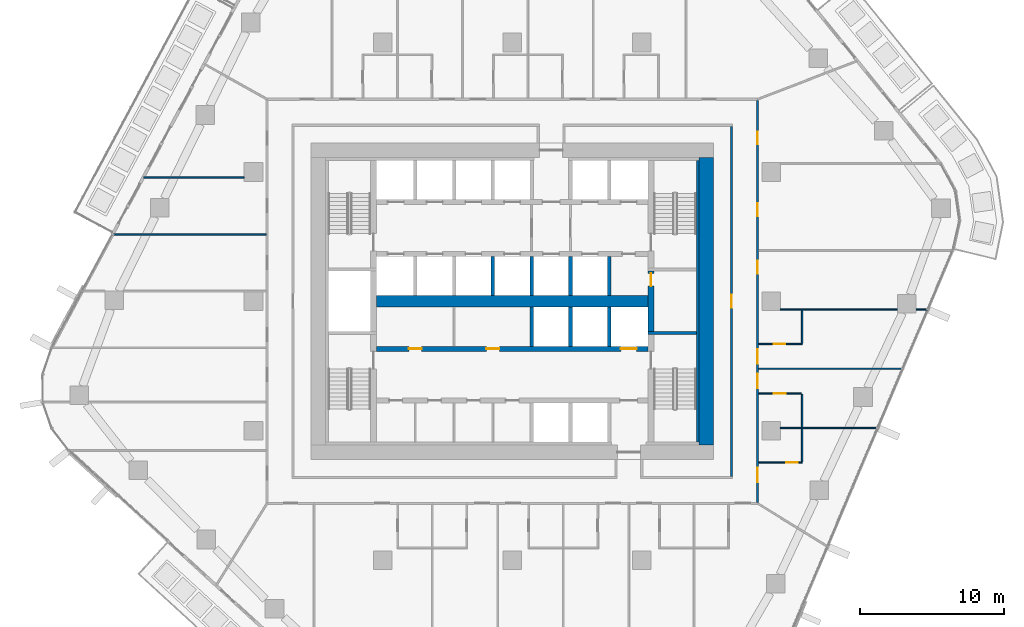
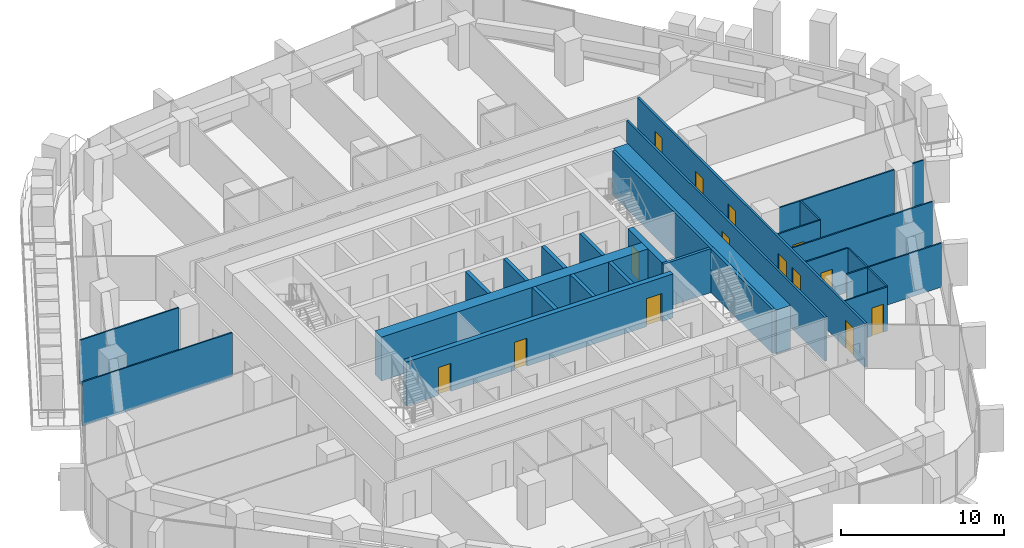
# One storey, part 14 of 24: 27 walls, 14 doors, 14 openings.
"""IFC4 building model written with IfcOpenShell, lengths in metres."""

from ifc_helpers import new_model, si_unit, direction, frame, frame_2d, origin, place, context, subcontext, project, spatial, rectangle, extrude, material, layer, layer_set, type_object, element, fill, save


model = new_model("IFC4")

# Units and contexts
model_context = context("Model", 3, precision=1e-05, world=origin(), true_north=direction((0.0, 1.0)))
body_context = subcontext(model_context, "Body", "Model", "MODEL_VIEW")
ifc_project = project(units=[si_unit("LENGTHUNIT", "METRE"), si_unit("AREAUNIT", "SQUARE_METRE"), si_unit("VOLUMEUNIT", "CUBIC_METRE"), si_unit("PLANEANGLEUNIT", "RADIAN"), si_unit("MASSUNIT", "GRAM", prefix="KILO")], contexts=[model_context])

# Site, building, storey
site_placement = place(None, origin())
site = spatial("IfcSite", under=ifc_project, at=site_placement, CompositionType="ELEMENT")
building_placement = place(site_placement, origin())
building = spatial("IfcBuilding", under=site, at=building_placement, Name="Dongbaek Canopy Tower", CompositionType="ELEMENT")
storey_placement = place(building_placement, frame((0.0, 0.0, 124.800048828125)))
storey = spatial("IfcBuildingStorey", under=building, at=storey_placement, Name="L27", CompositionType="ELEMENT", Elevation=124.800048828125)

# Wall
ifc_material_1 = material(Name="Concrete C60/75", Category="concrete")
ifc_layer_1 = layer(ifc_material_1, 0.800048828125)
ifc_layer_set_1 = layer_set([ifc_layer_1], Name="Core central wall 800 Concrete C60/75")
wall_type_1 = type_object("IfcWallType", Name="Core central wall 800 Concrete C60/75", PredefinedType="SHEAR", material=ifc_layer_set_1)
wall_1_placement = place(storey_placement, frame((-9.449951171875, 0.0, 0.0), z_axis=(0.0, 0.0, 1.0), x_axis=(1.0, 0.0, 0.0)))
element("IfcWall", 1, at=wall_1_placement, inside=storey, type_object=wall_type_1, Name="Core wall", PredefinedType="SHEAR", context=body_context, shape_type="SweptSolid", body=[
    extrude(rectangle(XDim=18.89990234375, YDim=0.800048828125, at=frame_2d((9.449951171875, 0.0))), origin(), (0.0, 0.0, 1.0), 3.300048828125),
])

# Wall, openings, doors
ifc_material_2 = material(Name="Concrete C60/75", Category="concrete")
ifc_layer_2 = layer(ifc_material_2, 0.35009765625)
ifc_layer_set_2 = layer_set([ifc_layer_2], Name="Core lobby wall 350 Concrete C60/75")
wall_type_2 = type_object("IfcWallType", Name="Core lobby wall 350 Concrete C60/75", PredefinedType="SHEAR", material=ifc_layer_set_2)
wall_2_placement = place(storey_placement, frame((-9.449951171875, -3.300048828125, 0.0), z_axis=(0.0, 0.0, 1.0), x_axis=(1.0, 0.0, 0.0)))
wall_2 = element("IfcWall", 2, at=wall_2_placement, inside=storey, type_object=wall_type_2, Name="Core wall", PredefinedType="SHEAR", context=body_context, shape_type="SweptSolid", body=[
    extrude(rectangle(XDim=18.89990234375, YDim=0.35009765625, at=frame_2d((9.449951171875, 0.0))), origin(), (0.0, 0.0, 1.0), 3.300048828125),
])
opening_1_placement = place(wall_2_placement, frame((17.0, 0.0, 0.0)))
opening_1 = element("IfcOpeningElement", 3, at=opening_1_placement, cuts=wall_2, Name="Opening L27-D059", PredefinedType="OPENING", context=body_context, shape_type="SweptSolid", body=[
    extrude(rectangle(XDim=1.10009765625, YDim=2.10009765625, at=frame_2d((0.550048828125, 1.050048828125))), frame((0.0, 0.18505859375, 0.0), z_axis=(0.0, -1.0, 0.0), x_axis=(1.0, 0.0, 0.0)), (0.0, 0.0, 1.0), 0.3701171875),
])
opening_2_placement = place(wall_2_placement, frame((2.25, 0.0, 0.0)))
opening_2 = element("IfcOpeningElement", 4, at=opening_2_placement, cuts=wall_2, Name="Opening L27-D062", PredefinedType="OPENING", context=body_context, shape_type="SweptSolid", body=[
    extrude(rectangle(XDim=0.89990234375, YDim=2.10009765625, at=frame_2d((0.449951171875, 1.050048828125))), frame((0.0, 0.18505859375, 0.0), z_axis=(0.0, -1.0, 0.0), x_axis=(1.0, 0.0, 0.0)), (0.0, 0.0, 1.0), 0.3701171875),
])
opening_3_placement = place(wall_2_placement, frame((7.64990234375, 0.0, 0.0)))
opening_3 = element("IfcOpeningElement", 5, at=opening_3_placement, cuts=wall_2, Name="Opening L27-D063", PredefinedType="OPENING", context=body_context, shape_type="SweptSolid", body=[
    extrude(rectangle(XDim=0.89990234375, YDim=2.10009765625, at=frame_2d((0.449951171875, 1.050048828125))), frame((0.0, 0.18505859375, 0.0), z_axis=(0.0, -1.0, 0.0), x_axis=(1.0, 0.0, 0.0)), (0.0, 0.0, 1.0), 0.3701171875),
])
ifc_material_3 = material(Name="Steel", Category="steel")
door_type_1 = type_object("IfcDoorType", Name="Core room door 900 x 2100", OperationType="SINGLE_SWING_LEFT", PredefinedType="DOOR", material=ifc_material_3)
door_1_placement = place(opening_2_placement, origin())
door_1 = element("IfcDoor", 6, at=door_1_placement, inside=storey, type_object=door_type_1, Name="Door L27-D062", OperationType="SINGLE_SWING_RIGHT", OverallHeight=2.10009765625, OverallWidth=0.89990234375, PredefinedType="DOOR", context=body_context, shape_type="SweptSolid", body=[
    extrude(rectangle(XDim=0.89990234375, YDim=2.10009765625, at=frame_2d((0.449951171875, 1.050048828125))), frame((0.0, 0.02490234375, 0.0), z_axis=(0.0, -1.0, 0.0), x_axis=(1.0, 0.0, 0.0)), (0.0, 0.0, 1.0), 0.050048828125),
])
fill(opening_2, door_1)
door_2_placement = place(opening_3_placement, origin())
door_2 = element("IfcDoor", 7, at=door_2_placement, inside=storey, type_object=door_type_1, Name="Door L27-D063", OperationType="SINGLE_SWING_LEFT", OverallHeight=2.10009765625, OverallWidth=0.89990234375, PredefinedType="DOOR", context=body_context, shape_type="SweptSolid", body=[
    extrude(rectangle(XDim=0.89990234375, YDim=2.10009765625, at=frame_2d((0.449951171875, 1.050048828125))), frame((0.0, 0.02490234375, 0.0), z_axis=(0.0, -1.0, 0.0), x_axis=(1.0, 0.0, 0.0)), (0.0, 0.0, 1.0), 0.050048828125),
])
fill(opening_3, door_2)
ifc_material_4 = material(Name="Stainless steel", Category="steel")
door_type_2 = type_object("IfcDoorType", Name="Lift landing door 1100 x 2100", OperationType="DOUBLE_DOOR_SLIDING", PredefinedType="DOOR", material=ifc_material_4)
door_3_placement = place(opening_1_placement, origin())
door_3 = element("IfcDoor", 8, at=door_3_placement, inside=storey, type_object=door_type_2, Name="Landing door SV2", OperationType="DOUBLE_DOOR_SLIDING", OverallHeight=2.10009765625, OverallWidth=1.10009765625, PredefinedType="DOOR", context=body_context, shape_type="SweptSolid", body=[
    extrude(rectangle(XDim=1.10009765625, YDim=2.10009765625, at=frame_2d((0.550048828125, 1.050048828125))), frame((0.0, 0.02490234375, 0.0), z_axis=(0.0, -1.0, 0.0), x_axis=(1.0, 0.0, 0.0)), (0.0, 0.0, 1.0), 0.050048828125),
])
fill(opening_1, door_3)

# Walls
ifc_material_5 = material(Name="Concrete C60/75", Category="concrete")
ifc_layer_3 = layer(ifc_material_5, 1.0)
ifc_layer_set_3 = layer_set([ifc_layer_3], Name="Core outer wall 1000 Concrete C60/75")
wall_type_3 = type_object("IfcWallType", Name="Core outer wall 1000 Concrete C60/75", PredefinedType="SHEAR", material=ifc_layer_set_3)
wall_3_placement = place(storey_placement, frame((13.5, 10.0, 0.0), z_axis=(0.0, 0.0, 1.0), x_axis=(0.0, -1.0, 0.0)))
element("IfcWall", 9, at=wall_3_placement, inside=storey, type_object=wall_type_3, Name="Core wall", PredefinedType="SHEAR", context=body_context, shape_type="SweptSolid", body=[
    extrude(rectangle(XDim=20.0, YDim=1.0, at=frame_2d((10.0, 0.0))), origin(), (0.0, 0.0, 1.0), 3.300048828125),
])
ifc_material_6 = material(Name="Concrete C60/75", Category="concrete")
ifc_layer_4 = layer(ifc_material_6, 0.199951171875)
ifc_layer_set_4 = layer_set([ifc_layer_4], Name="Core wall lining 200 Concrete C60/75")
wall_type_4 = type_object("IfcWallType", Name="Core wall lining 200 Concrete C60/75", PredefinedType="SHEAR", material=ifc_layer_set_4)
wall_4_placement = place(storey_placement, frame((12.89990234375, 9.800048828125, 0.0), z_axis=(0.0, 0.0, 1.0), x_axis=(0.0, -1.0, 0.0)))
element("IfcWall", 10, at=wall_4_placement, inside=storey, type_object=wall_type_4, Name="Core wall lining", PredefinedType="SHEAR", context=body_context, shape_type="SweptSolid", body=[
    extrude(rectangle(XDim=19.60009765625, YDim=0.199951171875, at=frame_2d((9.800048828125, 0.0))), origin(), (0.0, 0.0, 1.0), 3.300048828125),
])

# Wall, openings, doors
ifc_material_7 = material(Name="Gypsum board partition, steel stud, 2 x 15 mm fire board", Category="steel")
ifc_layer_5 = layer(ifc_material_7, 0.14990234375)
ifc_layer_set_5 = layer_set([ifc_layer_5], Name="Fire-rated partition 150 gypsum board")
wall_type_5 = type_object("IfcWallType", Name="Fire-rated partition 150 gypsum board", PredefinedType="PARTITIONING", material=ifc_layer_set_5)
wall_5_placement = place(storey_placement, frame((17.050048828125, 13.97509765625, 0.0), z_axis=(0.0, 0.0, 1.0), x_axis=(0.0, -1.0, 0.0)))
wall_5 = element("IfcWall", 11, at=wall_5_placement, inside=storey, type_object=wall_type_5, Name="Corridor partition", PredefinedType="PARTITIONING", context=body_context, shape_type="SweptSolid", body=[
    extrude(rectangle(XDim=27.9501953125, YDim=0.14990234375, at=frame_2d((13.97509765625, 0.0))), origin(), (0.0, 0.0, 1.0), 3.300048828125),
])
opening_4_placement = place(wall_5_placement, frame((25.54541015625, 0.0, 0.0)))
opening_4 = element("IfcOpeningElement", 12, at=opening_4_placement, cuts=wall_5, Name="Opening L27-D018", PredefinedType="OPENING", context=body_context, shape_type="SweptSolid", body=[
    extrude(rectangle(XDim=1.0, YDim=2.10009765625, at=frame_2d((0.5, 1.050048828125))), frame((0.0, 0.0849609375, 0.0), z_axis=(0.0, -1.0, 0.0), x_axis=(1.0, 0.0, 0.0)), (0.0, 0.0, 1.0), 0.169921875),
])
opening_5_placement = place(wall_5_placement, frame((19.0244140625, 0.0, 0.0)))
opening_5 = element("IfcOpeningElement", 13, at=opening_5_placement, cuts=wall_5, Name="Opening L27-D020", PredefinedType="OPENING", context=body_context, shape_type="SweptSolid", body=[
    extrude(rectangle(XDim=1.0, YDim=2.10009765625, at=frame_2d((0.5, 1.050048828125))), frame((0.0, 0.0849609375, 0.0), z_axis=(0.0, -1.0, 0.0), x_axis=(1.0, 0.0, 0.0)), (0.0, 0.0, 1.0), 0.169921875),
])
opening_6_placement = place(wall_5_placement, frame((17.303466796875, 0.0, 0.0)))
opening_6 = element("IfcOpeningElement", 14, at=opening_6_placement, cuts=wall_5, Name="Opening L27-D022", PredefinedType="OPENING", context=body_context, shape_type="SweptSolid", body=[
    extrude(rectangle(XDim=1.0, YDim=2.10009765625, at=frame_2d((0.5, 1.050048828125))), frame((0.0, 0.0849609375, 0.0), z_axis=(0.0, -1.0, 0.0), x_axis=(1.0, 0.0, 0.0)), (0.0, 0.0, 1.0), 0.169921875),
])
opening_7_placement = place(wall_5_placement, frame((11.15478515625, 0.0, 0.0)))
opening_7 = element("IfcOpeningElement", 15, at=opening_7_placement, cuts=wall_5, Name="Opening L27-D023", PredefinedType="OPENING", context=body_context, shape_type="SweptSolid", body=[
    extrude(rectangle(XDim=0.89990234375, YDim=2.10009765625, at=frame_2d((0.449951171875, 1.050048828125))), frame((0.0, 0.0849609375, 0.0), z_axis=(0.0, -1.0, 0.0), x_axis=(1.0, 0.0, 0.0)), (0.0, 0.0, 1.0), 0.169921875),
])
opening_8_placement = place(wall_5_placement, frame((7.14453125, 0.0, 0.0)))
opening_8 = element("IfcOpeningElement", 16, at=opening_8_placement, cuts=wall_5, Name="Opening L27-D024", PredefinedType="OPENING", context=body_context, shape_type="SweptSolid", body=[
    extrude(rectangle(XDim=0.89990234375, YDim=2.10009765625, at=frame_2d((0.449951171875, 1.050048828125))), frame((0.0, 0.0849609375, 0.0), z_axis=(0.0, -1.0, 0.0), x_axis=(1.0, 0.0, 0.0)), (0.0, 0.0, 1.0), 0.169921875),
])
opening_9_placement = place(wall_5_placement, frame((2.16796875, 0.0, 0.0)))
opening_9 = element("IfcOpeningElement", 17, at=opening_9_placement, cuts=wall_5, Name="Opening L27-D025", PredefinedType="OPENING", context=body_context, shape_type="SweptSolid", body=[
    extrude(rectangle(XDim=0.89990234375, YDim=2.10009765625, at=frame_2d((0.449951171875, 1.050048828125))), frame((0.0, 0.0849609375, 0.0), z_axis=(0.0, -1.0, 0.0), x_axis=(1.0, 0.0, 0.0)), (0.0, 0.0, 1.0), 0.169921875),
])
ifc_material_8 = material(Name="Timber veneered door leaf", Category="wood")
door_type_3 = type_object("IfcDoorType", Name="Guest room door 1000 x 2100", OperationType="SINGLE_SWING_LEFT", PredefinedType="DOOR", material=ifc_material_8)
door_4_placement = place(opening_4_placement, origin())
door_4 = element("IfcDoor", 18, at=door_4_placement, inside=storey, type_object=door_type_3, Name="Door L27-D018", OperationType="SINGLE_SWING_LEFT", OverallHeight=2.10009765625, OverallWidth=1.0, PredefinedType="DOOR", context=body_context, shape_type="SweptSolid", body=[
    extrude(rectangle(XDim=1.0, YDim=2.10009765625, at=frame_2d((0.5, 1.050048828125))), frame((0.0, 0.02490234375, 0.0), z_axis=(0.0, -1.0, 0.0), x_axis=(1.0, 0.0, 0.0)), (0.0, 0.0, 1.0), 0.050048828125),
])
fill(opening_4, door_4)
door_5_placement = place(opening_5_placement, origin())
door_5 = element("IfcDoor", 19, at=door_5_placement, inside=storey, type_object=door_type_3, Name="Door L27-D020", OperationType="SINGLE_SWING_RIGHT", OverallHeight=2.10009765625, OverallWidth=1.0, PredefinedType="DOOR", context=body_context, shape_type="SweptSolid", body=[
    extrude(rectangle(XDim=1.0, YDim=2.10009765625, at=frame_2d((0.5, 1.050048828125))), frame((0.0, 0.02490234375, 0.0), z_axis=(0.0, -1.0, 0.0), x_axis=(1.0, 0.0, 0.0)), (0.0, 0.0, 1.0), 0.050048828125),
])
fill(opening_5, door_5)
door_6_placement = place(opening_6_placement, origin())
door_6 = element("IfcDoor", 20, at=door_6_placement, inside=storey, type_object=door_type_3, Name="Door L27-D022", OperationType="SINGLE_SWING_LEFT", OverallHeight=2.10009765625, OverallWidth=1.0, PredefinedType="DOOR", context=body_context, shape_type="SweptSolid", body=[
    extrude(rectangle(XDim=1.0, YDim=2.10009765625, at=frame_2d((0.5, 1.050048828125))), frame((0.0, 0.02490234375, 0.0), z_axis=(0.0, -1.0, 0.0), x_axis=(1.0, 0.0, 0.0)), (0.0, 0.0, 1.0), 0.050048828125),
])
fill(opening_6, door_6)
ifc_material_9 = material(Name="Timber veneered door leaf", Category="wood")
door_type_4 = type_object("IfcDoorType", Name="Room door 900 x 2100", OperationType="SINGLE_SWING_LEFT", PredefinedType="DOOR", material=ifc_material_9)
door_7_placement = place(opening_7_placement, origin())
door_7 = element("IfcDoor", 21, at=door_7_placement, inside=storey, type_object=door_type_4, Name="Door L27-D023", OperationType="SINGLE_SWING_RIGHT", OverallHeight=2.10009765625, OverallWidth=0.89990234375, PredefinedType="DOOR", context=body_context, shape_type="SweptSolid", body=[
    extrude(rectangle(XDim=0.89990234375, YDim=2.10009765625, at=frame_2d((0.449951171875, 1.050048828125))), frame((0.0, 0.02490234375, 0.0), z_axis=(0.0, -1.0, 0.0), x_axis=(1.0, 0.0, 0.0)), (0.0, 0.0, 1.0), 0.050048828125),
])
fill(opening_7, door_7)
door_8_placement = place(opening_8_placement, origin())
door_8 = element("IfcDoor", 22, at=door_8_placement, inside=storey, type_object=door_type_4, Name="Door L27-D024", OperationType="SINGLE_SWING_LEFT", OverallHeight=2.10009765625, OverallWidth=0.89990234375, PredefinedType="DOOR", context=body_context, shape_type="SweptSolid", body=[
    extrude(rectangle(XDim=0.89990234375, YDim=2.10009765625, at=frame_2d((0.449951171875, 1.050048828125))), frame((0.0, 0.02490234375, 0.0), z_axis=(0.0, -1.0, 0.0), x_axis=(1.0, 0.0, 0.0)), (0.0, 0.0, 1.0), 0.050048828125),
])
fill(opening_8, door_8)
door_9_placement = place(opening_9_placement, origin())
door_9 = element("IfcDoor", 23, at=door_9_placement, inside=storey, type_object=door_type_4, Name="Door L27-D025", OperationType="SINGLE_SWING_RIGHT", OverallHeight=2.10009765625, OverallWidth=0.89990234375, PredefinedType="DOOR", context=body_context, shape_type="SweptSolid", body=[
    extrude(rectangle(XDim=0.89990234375, YDim=2.10009765625, at=frame_2d((0.449951171875, 1.050048828125))), frame((0.0, 0.02490234375, 0.0), z_axis=(0.0, -1.0, 0.0), x_axis=(1.0, 0.0, 0.0)), (0.0, 0.0, 1.0), 0.050048828125),
])
fill(opening_9, door_9)

# Wall, opening, door
wall_6_placement = place(storey_placement, frame((15.25, -12.175048828125, 0.0), z_axis=(0.0, 0.0, 1.0), x_axis=(0.0, 1.0, 0.0)))
wall_6 = element("IfcWall", 24, at=wall_6_placement, inside=storey, type_object=wall_type_5, Name="Corridor partition", PredefinedType="PARTITIONING", context=body_context, shape_type="SweptSolid", body=[
    extrude(rectangle(XDim=24.35009765625, YDim=0.14990234375, at=frame_2d((12.175048828125, 0.0))), origin(), (0.0, 0.0, 1.0), 3.300048828125),
])
opening_10_placement = place(wall_6_placement, frame((11.72509765625, 0.0, 0.0)))
opening_10 = element("IfcOpeningElement", 25, at=opening_10_placement, cuts=wall_6, Name="Opening L27-D042", PredefinedType="OPENING", context=body_context, shape_type="SweptSolid", body=[
    extrude(rectangle(XDim=0.89990234375, YDim=2.10009765625, at=frame_2d((0.449951171875, 1.050048828125))), frame((0.0, 0.0849609375, 0.0), z_axis=(0.0, -1.0, 0.0), x_axis=(1.0, 0.0, 0.0)), (0.0, 0.0, 1.0), 0.169921875),
])
door_10_placement = place(opening_10_placement, origin())
door_10 = element("IfcDoor", 26, at=door_10_placement, inside=storey, type_object=door_type_4, Name="Door L27-D042", OperationType="SINGLE_SWING_RIGHT", OverallHeight=2.10009765625, OverallWidth=0.89990234375, PredefinedType="DOOR", context=body_context, shape_type="SweptSolid", body=[
    extrude(rectangle(XDim=0.89990234375, YDim=2.10009765625, at=frame_2d((0.449951171875, 1.050048828125))), frame((0.0, 0.02490234375, 0.0), z_axis=(0.0, -1.0, 0.0), x_axis=(1.0, 0.0, 0.0)), (0.0, 0.0, 1.0), 0.050048828125),
])
fill(opening_10, door_10)

# Walls
ifc_material_10 = material(Name="Concrete C40/50", Category="concrete")
ifc_layer_6 = layer(ifc_material_10, 0.25)
ifc_layer_set_6 = layer_set([ifc_layer_6], Name="Lift shaft wall 250 Concrete C40/50")
wall_type_6 = type_object("IfcWallType", Name="Lift shaft wall 250 Concrete C40/50", PredefinedType="SOLIDWALL", material=ifc_layer_set_6)
for number, where, z_axis, x_axis, name in (
    (27, (6.75, -3.125, 0.0), (0.0, 0.0, 1.0), (0.0, 1.0, 0.0), "Lift shaft wall"),
    (28, (6.75, 0.39990234375, 0.0), (0.0, 0.0, 1.0), (0.0, 1.0, 0.0), "Lift shaft wall"),
    (29, (4.050048828125, -3.125, 0.0), (0.0, 0.0, 1.0), (0.0, 1.0, 0.0), "Lift shaft wall"),
    (30, (4.050048828125, 0.39990234375, 0.0), (0.0, 0.0, 1.0), (0.0, 1.0, 0.0), "Lift shaft wall"),
    (31, (1.35009765625, -3.125, 0.0), (0.0, 0.0, 1.0), (0.0, 1.0, 0.0), "Lift shaft wall"),
    (32, (1.35009765625, 0.39990234375, 0.0), (0.0, 0.0, 1.0), (0.0, 1.0, 0.0), "Lift shaft wall"),
    (33, (-1.35009765625, 0.39990234375, 0.0), (0.0, 0.0, 1.0), (0.0, 1.0, 0.0), "Lift shaft wall"),
):
    element("IfcWall", number, at=place(storey_placement, frame(where, z_axis=z_axis, x_axis=x_axis)), inside=storey, type_object=wall_type_6, Name=name, PredefinedType="SOLIDWALL", context=body_context, shape_type="SweptSolid", body=[
        extrude(rectangle(XDim=2.72509765625, YDim=0.25, at=frame_2d((1.362548828125, 0.0))), origin(), (0.0, 0.0, 1.0), 3.300048828125),
    ])

# Wall, opening, door
ifc_material_11 = material(Name="Gypsum board partition, steel stud, 2 x 12.5 mm board", Category="steel")
ifc_layer_7 = layer(ifc_material_11, 0.10009765625)
ifc_layer_set_7 = layer_set([ifc_layer_7], Name="Partition 100 gypsum board")
wall_type_7 = type_object("IfcWallType", Name="Partition 100 gypsum board", PredefinedType="PARTITIONING", material=ifc_layer_set_7)
wall_7_placement = place(storey_placement, frame((17.125, -11.2099609375, 0.0), z_axis=(0.0, 0.0, 1.0), x_axis=(1.0, 0.0, 0.0)))
wall_7 = element("IfcWall", 34, at=wall_7_placement, inside=storey, type_object=wall_type_7, Name="Partition", PredefinedType="PARTITIONING", context=body_context, shape_type="SweptSolid", body=[
    extrude(rectangle(XDim=3.02490234375, YDim=0.10009765625, at=frame_2d((1.512451171875, 0.0))), origin(), (0.0, 0.0, 1.0), 3.300048828125),
])
opening_11_placement = place(wall_7_placement, frame((1.929931640625, 0.0, 0.0)))
opening_11 = element("IfcOpeningElement", 35, at=opening_11_placement, cuts=wall_7, Name="Opening L27-D017", PredefinedType="OPENING", context=body_context, shape_type="SweptSolid", body=[
    extrude(rectangle(XDim=0.800048828125, YDim=2.10009765625, at=frame_2d((0.39990234375, 1.050048828125))), frame((0.0, 0.06005859375, 0.0), z_axis=(0.0, -1.0, 0.0), x_axis=(1.0, 0.0, 0.0)), (0.0, 0.0, 1.0), 0.1201171875),
])
ifc_material_12 = material(Name="Timber veneered door leaf", Category="wood")
door_type_5 = type_object("IfcDoorType", Name="En-suite door 800 x 2100", OperationType="SINGLE_SWING_LEFT", PredefinedType="DOOR", material=ifc_material_12)
door_11_placement = place(opening_11_placement, origin())
door_11 = element("IfcDoor", 36, at=door_11_placement, inside=storey, type_object=door_type_5, Name="Door L27-D017", OperationType="SINGLE_SWING_RIGHT", OverallHeight=2.10009765625, OverallWidth=0.800048828125, PredefinedType="DOOR", context=body_context, shape_type="SweptSolid", body=[
    extrude(rectangle(XDim=0.800048828125, YDim=2.10009765625, at=frame_2d((0.39990234375, 1.050048828125))), frame((0.0, 0.02490234375, 0.0), z_axis=(0.0, -1.0, 0.0), x_axis=(1.0, 0.0, 0.0)), (0.0, 0.0, 1.0), 0.050048828125),
])
fill(opening_11, door_11)

# Wall
wall_8_placement = place(storey_placement, frame((18.64990234375, -8.81005859375, 0.0), z_axis=(0.0, 0.0, 1.0), x_axis=(1.0, 0.0, 0.0)))
element("IfcWall", 37, at=wall_8_placement, inside=storey, type_object=wall_type_7, Name="Partition", PredefinedType="PARTITIONING", context=body_context, shape_type="SweptSolid", body=[
    extrude(rectangle(XDim=6.734619140625, YDim=0.10009765625, at=frame_2d((3.3671875, 0.0))), origin(), (0.0, 0.0, 1.0), 3.300048828125),
])

# Wall, opening, door
wall_9_placement = place(storey_placement, frame((20.10009765625, -6.409912109375, 0.0), z_axis=(0.0, 0.0, 1.0), x_axis=(-1.0, 0.0, 0.0)))
wall_9 = element("IfcWall", 38, at=wall_9_placement, inside=storey, type_object=wall_type_7, Name="Partition", PredefinedType="PARTITIONING", context=body_context, shape_type="SweptSolid", body=[
    extrude(rectangle(XDim=2.97509765625, YDim=0.10009765625, at=frame_2d((1.487548828125, 0.0))), origin(), (0.0, 0.0, 1.0), 3.300048828125),
])
opening_12_placement = place(wall_9_placement, frame((1.10009765625, 0.0, 0.0)))
opening_12 = element("IfcOpeningElement", 39, at=opening_12_placement, cuts=wall_9, Name="Opening L27-D019", PredefinedType="OPENING", context=body_context, shape_type="SweptSolid", body=[
    extrude(rectangle(XDim=0.800048828125, YDim=2.10009765625, at=frame_2d((0.39990234375, 1.050048828125))), frame((0.0, 0.06005859375, 0.0), z_axis=(0.0, -1.0, 0.0), x_axis=(1.0, 0.0, 0.0)), (0.0, 0.0, 1.0), 0.1201171875),
])
door_12_placement = place(opening_12_placement, origin())
door_12 = element("IfcDoor", 40, at=door_12_placement, inside=storey, type_object=door_type_5, Name="Door L27-D019", OperationType="SINGLE_SWING_LEFT", OverallHeight=2.10009765625, OverallWidth=0.800048828125, PredefinedType="DOOR", context=body_context, shape_type="SweptSolid", body=[
    extrude(rectangle(XDim=0.800048828125, YDim=2.10009765625, at=frame_2d((0.39990234375, 1.050048828125))), frame((0.0, 0.02490234375, 0.0), z_axis=(0.0, -1.0, 0.0), x_axis=(1.0, 0.0, 0.0)), (0.0, 0.0, 1.0), 0.050048828125),
])
fill(opening_12, door_12)

# Wall
wall_10_placement = place(storey_placement, frame((17.125, -4.68896484375, 0.0), z_axis=(0.0, 0.0, 1.0), x_axis=(1.0, 0.0, 0.0)))
element("IfcWall", 41, at=wall_10_placement, inside=storey, type_object=wall_type_7, Name="Partition", PredefinedType="PARTITIONING", context=body_context, shape_type="SweptSolid", body=[
    extrude(rectangle(XDim=10.003173828125, YDim=0.10009765625, at=frame_2d((5.00146484375, 0.0))), origin(), (0.0, 0.0, 1.0), 3.300048828125),
])

# Wall, opening, door
wall_11_placement = place(storey_placement, frame((17.125, -2.968017578125, 0.0), z_axis=(0.0, 0.0, 1.0), x_axis=(1.0, 0.0, 0.0)))
wall_11 = element("IfcWall", 42, at=wall_11_placement, inside=storey, type_object=wall_type_7, Name="Partition", PredefinedType="PARTITIONING", context=body_context, shape_type="SweptSolid", body=[
    extrude(rectangle(XDim=3.02490234375, YDim=0.10009765625, at=frame_2d((1.512451171875, 0.0))), origin(), (0.0, 0.0, 1.0), 3.300048828125),
])
opening_13_placement = place(wall_11_placement, frame((1.074951171875, 0.0, 0.0)))
opening_13 = element("IfcOpeningElement", 43, at=opening_13_placement, cuts=wall_11, Name="Opening L27-D021", PredefinedType="OPENING", context=body_context, shape_type="SweptSolid", body=[
    extrude(rectangle(XDim=0.800048828125, YDim=2.10009765625, at=frame_2d((0.39990234375, 1.050048828125))), frame((0.0, 0.06005859375, 0.0), z_axis=(0.0, -1.0, 0.0), x_axis=(1.0, 0.0, 0.0)), (0.0, 0.0, 1.0), 0.1201171875),
])
door_13_placement = place(opening_13_placement, origin())
door_13 = element("IfcDoor", 44, at=door_13_placement, inside=storey, type_object=door_type_5, Name="Door L27-D021", OperationType="SINGLE_SWING_RIGHT", OverallHeight=2.10009765625, OverallWidth=0.800048828125, PredefinedType="DOOR", context=body_context, shape_type="SweptSolid", body=[
    extrude(rectangle(XDim=0.800048828125, YDim=2.10009765625, at=frame_2d((0.39990234375, 1.050048828125))), frame((0.0, 0.02490234375, 0.0), z_axis=(0.0, -1.0, 0.0), x_axis=(1.0, 0.0, 0.0)), (0.0, 0.0, 1.0), 0.050048828125),
])
fill(opening_13, door_13)

# Walls
wall_12_placement = place(storey_placement, frame((18.64990234375, -0.568115234375, 0.0), z_axis=(0.0, 0.0, 1.0), x_axis=(1.0, 0.0, 0.0)))
element("IfcWall", 45, at=wall_12_placement, inside=storey, type_object=wall_type_7, Name="Partition", PredefinedType="PARTITIONING", context=body_context, shape_type="SweptSolid", body=[
    extrude(rectangle(XDim=8.135986328125, YDim=0.10009765625, at=frame_2d((4.06787109375, 0.0))), origin(), (0.0, 0.0, 1.0), 3.300048828125),
])
wall_13_placement = place(storey_placement, frame((28.0859375, -0.568115234375, 0.0), z_axis=(0.0, 0.0, 1.0), x_axis=(1.0, 0.0, 0.0)))
element("IfcWall", 46, at=wall_13_placement, inside=storey, type_object=wall_type_7, Name="Partition", PredefinedType="PARTITIONING", context=body_context, shape_type="SweptSolid", body=[
    extrude(rectangle(XDim=0.785888671875, YDim=0.10009765625, at=frame_2d((0.39306640625, 0.0))), origin(), (0.0, 0.0, 1.0), 3.300048828125),
])
wall_14_placement = place(storey_placement, frame((-27.77099609375, 4.659912109375, 0.0), z_axis=(0.0, 0.0, 1.0), x_axis=(1.0, 0.0, 0.0)))
element("IfcWall", 47, at=wall_14_placement, inside=storey, type_object=wall_type_7, Name="Partition", PredefinedType="PARTITIONING", context=body_context, shape_type="SweptSolid", body=[
    extrude(rectangle(XDim=10.64599609375, YDim=0.10009765625, at=frame_2d((5.322998046875, 0.0))), origin(), (0.0, 0.0, 1.0), 3.300048828125),
])
wall_15_placement = place(storey_placement, frame((-25.649169921875, 8.60791015625, 0.0), z_axis=(0.0, 0.0, 1.0), x_axis=(1.0, 0.0, 0.0)))
element("IfcWall", 48, at=wall_15_placement, inside=storey, type_object=wall_type_7, Name="Partition", PredefinedType="PARTITIONING", context=body_context, shape_type="SweptSolid", body=[
    extrude(rectangle(XDim=6.999267578125, YDim=0.10009765625, at=frame_2d((3.49951171875, 0.0))), origin(), (0.0, 0.0, 1.0), 3.300048828125),
])
wall_16_placement = place(storey_placement, frame((20.14990234375, -11.159912109375, 0.0), z_axis=(0.0, 0.0, 1.0), x_axis=(0.0, 1.0, 0.0)))
element("IfcWall", 49, at=wall_16_placement, inside=storey, type_object=wall_type_7, Name="Partition", PredefinedType="PARTITIONING", context=body_context, shape_type="SweptSolid", body=[
    extrude(rectangle(XDim=2.2998046875, YDim=0.10009765625, at=frame_2d((1.14990234375, 0.0))), origin(), (0.0, 0.0, 1.0), 3.300048828125),
])
wall_17_placement = place(storey_placement, frame((20.14990234375, -8.760009765625, 0.0), z_axis=(0.0, 0.0, 1.0), x_axis=(0.0, 1.0, 0.0)))
element("IfcWall", 50, at=wall_17_placement, inside=storey, type_object=wall_type_7, Name="Partition", PredefinedType="PARTITIONING", context=body_context, shape_type="SweptSolid", body=[
    extrude(rectangle(XDim=2.30029296875, YDim=0.10009765625, at=frame_2d((1.150146484375, 0.0))), origin(), (0.0, 0.0, 1.0), 3.300048828125),
])
wall_18_placement = place(storey_placement, frame((20.14990234375, -2.91796875, 0.0), z_axis=(0.0, 0.0, 1.0), x_axis=(0.0, 1.0, 0.0)))
element("IfcWall", 51, at=wall_18_placement, inside=storey, type_object=wall_type_7, Name="Partition", PredefinedType="PARTITIONING", context=body_context, shape_type="SweptSolid", body=[
    extrude(rectangle(XDim=2.300048828125, YDim=0.10009765625, at=frame_2d((1.14990234375, 0.0))), origin(), (0.0, 0.0, 1.0), 3.300048828125),
])
ifc_material_13 = material(Name="Concrete C60/75", Category="concrete")
ifc_layer_8 = layer(ifc_material_13, 0.199951171875)
ifc_layer_set_8 = layer_set([ifc_layer_8], Name="Riser wall 200 Concrete C60/75")
wall_type_8 = type_object("IfcWallType", Name="Riser wall 200 Concrete C60/75", PredefinedType="SHEAR", material=ifc_layer_set_8)
wall_19_placement = place(storey_placement, frame((9.449951171875, -2.199951171875, 0.0), z_axis=(0.0, 0.0, 1.0), x_axis=(1.0, 0.0, 0.0)))
element("IfcWall", 52, at=wall_19_placement, inside=storey, type_object=wall_type_8, Name="Riser wall", PredefinedType="SHEAR", context=body_context, shape_type="SweptSolid", body=[
    extrude(rectangle(XDim=3.35009765625, YDim=0.199951171875, at=frame_2d((1.675048828125, 0.0))), origin(), (0.0, 0.0, 1.0), 3.300048828125),
])

# Wall, opening, door
ifc_material_14 = material(Name="Concrete C60/75", Category="concrete")
ifc_layer_9 = layer(ifc_material_14, 0.39990234375)
ifc_layer_set_9 = layer_set([ifc_layer_9], Name="Stair wall 400 Concrete C60/75")
wall_type_9 = type_object("IfcWallType", Name="Stair wall 400 Concrete C60/75", PredefinedType="SHEAR", material=ifc_layer_set_9)
wall_20_placement = place(storey_placement, frame((9.64990234375, 2.10009765625, 0.0), z_axis=(0.0, 0.0, 1.0), x_axis=(0.0, -1.0, 0.0)))
wall_20 = element("IfcWall", 53, at=wall_20_placement, inside=storey, type_object=wall_type_9, Name="Stair wall", PredefinedType="SHEAR", context=body_context, shape_type="SweptSolid", body=[
    extrude(rectangle(XDim=4.2001953125, YDim=0.39990234375, at=frame_2d((2.10009765625, 0.0))), origin(), (0.0, 0.0, 1.0), 3.300048828125),
])
opening_14_placement = place(wall_20_placement, frame((0.14990234375, 0.0, 0.0)))
opening_14 = element("IfcOpeningElement", 54, at=opening_14_placement, cuts=wall_20, Name="Opening L27-D043", PredefinedType="OPENING", context=body_context, shape_type="SweptSolid", body=[
    extrude(rectangle(XDim=0.89990234375, YDim=2.10009765625, at=frame_2d((0.449951171875, 1.050048828125))), frame((0.0, 0.2099609375, 0.0), z_axis=(0.0, -1.0, 0.0), x_axis=(1.0, 0.0, 0.0)), (0.0, 0.0, 1.0), 0.419921875),
])
door_14_placement = place(opening_14_placement, origin())
door_14 = element("IfcDoor", 55, at=door_14_placement, inside=storey, type_object=door_type_1, Name="Door L27-D043", OperationType="SINGLE_SWING_RIGHT", OverallHeight=2.10009765625, OverallWidth=0.89990234375, PredefinedType="DOOR", context=body_context, shape_type="SweptSolid", body=[
    extrude(rectangle(XDim=0.89990234375, YDim=2.10009765625, at=frame_2d((0.449951171875, 1.050048828125))), frame((0.0, 0.02490234375, 0.0), z_axis=(0.0, -1.0, 0.0), x_axis=(1.0, 0.0, 0.0)), (0.0, 0.0, 1.0), 0.050048828125),
])
fill(opening_14, door_14)

save(model, "model.ifc")
